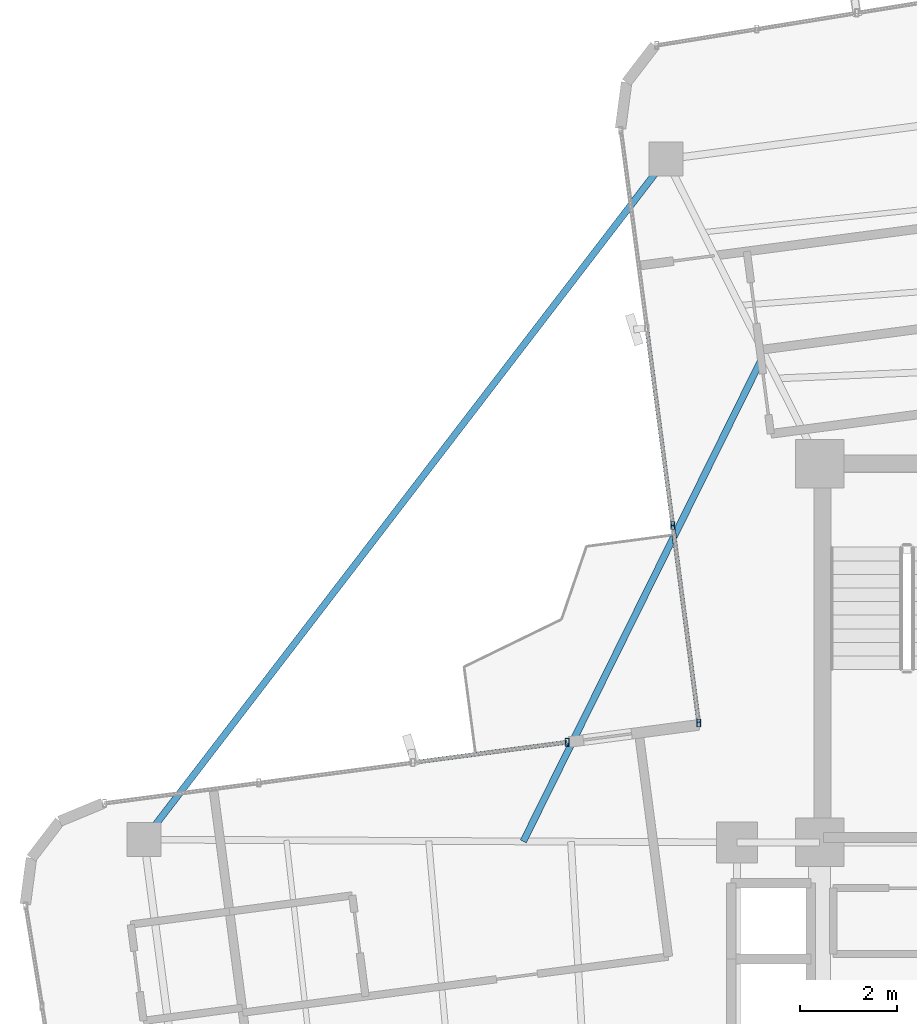
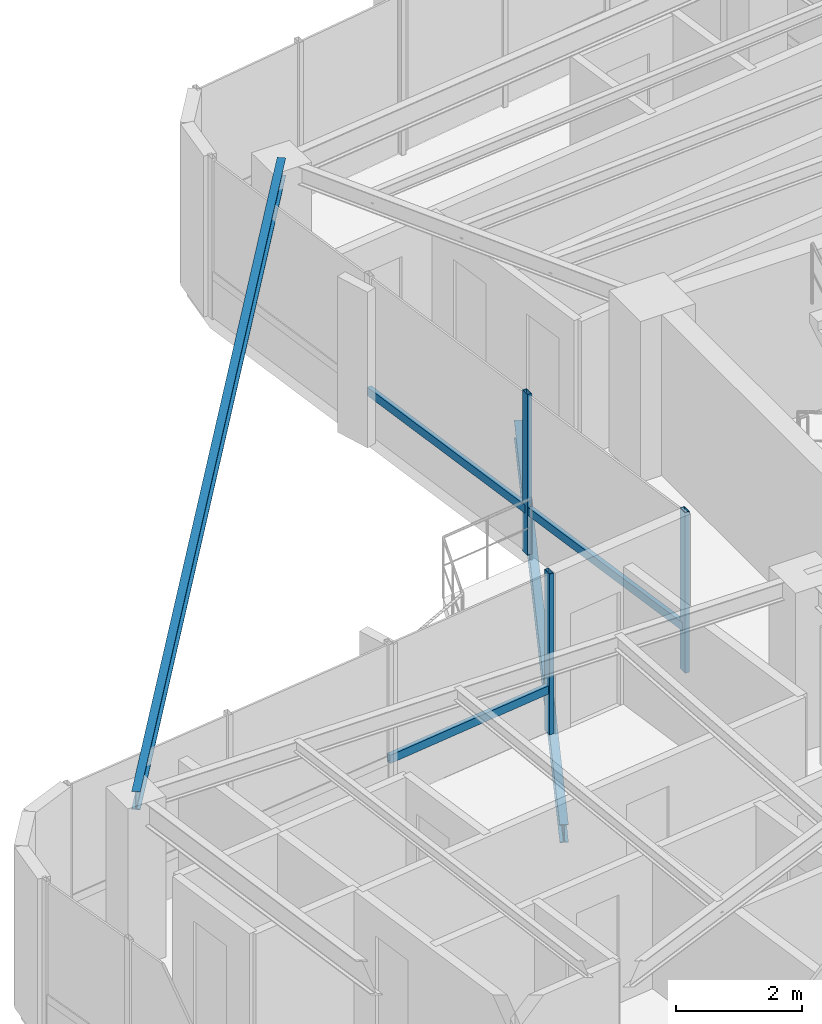
# One storey, part 9 of 22: 6 members, 2 beams, 2 elements without a shape of their own.
"""IFC4 building model written with IfcOpenShell, lengths in metres."""

from ifc_helpers import new_model, si_unit, direction, frame, origin, origin_2d, place, context, subcontext, project, spatial, hollow_rectangle, i_section, extrude, source, transform, mapped, material, material_profile, profile_set, type_object, element, aggregate, save


model = new_model("IFC4")

# Units and contexts
model_context = context("Model", 3, precision=1e-05, world=origin(), true_north=direction((0.0, 1.0)))
body_context = subcontext(model_context, "Body", "Model", "MODEL_VIEW")
ifc_project = project(units=[si_unit("LENGTHUNIT", "METRE"), si_unit("AREAUNIT", "SQUARE_METRE"), si_unit("VOLUMEUNIT", "CUBIC_METRE"), si_unit("PLANEANGLEUNIT", "RADIAN"), si_unit("MASSUNIT", "GRAM", prefix="KILO")], contexts=[model_context])

# Site, building, storey
site_placement = place(None, origin())
site = spatial("IfcSite", under=ifc_project, at=site_placement, CompositionType="ELEMENT")
building_placement = place(site_placement, origin())
building = spatial("IfcBuilding", under=site, at=building_placement, Name="Sahyath Konkavel Grand Hotel", CompositionType="ELEMENT")
storey_placement = place(building_placement, frame((0.0, 0.0, 257.89990234375)))
storey = spatial("IfcBuildingStorey", under=building, at=storey_placement, Name="L72", CompositionType="ELEMENT", Elevation=257.89990234375)

# Beam
ifc_material_1 = material(Name="Steel E350", Category="steel")
ifc_material_profile_1 = material_profile(ifc_material_1, i_section(OverallWidth=0.139892578125, OverallDepth=0.35009765625, WebThickness=0.008056640625, FlangeThickness=0.01416015625, FilletRadius=0.013916015625, at=origin_2d()), Name="ISMB 350")
ifc_profile_set_1 = profile_set([ifc_material_profile_1], Name="Steel E350")
beam_type_1 = type_object("IfcBeamType", Name="BM-ISMB350", PredefinedType="BEAM", material=ifc_profile_set_1)
shared_shape_1 = source(origin(), body_context, "Body", "SweptSolid", [
    extrude(i_section(OverallWidth=0.139892578125, OverallDepth=0.35009765625, WebThickness=0.008056640625, FlangeThickness=0.01416015625, FilletRadius=0.013916015625, at=origin_2d()), origin(), (0.0, 0.0, 1.0), 17.663330078125),
])
beam_1_placement = place(storey_placement, frame((-6.959716796875, 16.472412109375, 2.93505859375), z_axis=(-0.608754453805, -0.793358692504, 0.0), x_axis=(0.793358692504, -0.608754453805, 0.0)))
element("IfcBeam", 1, at=beam_1_placement, inside=storey, type_object=beam_type_1, Name="L72 Re-Entrant Tie Beam NW", PredefinedType="BEAM", context=body_context, shape_type="MappedRepresentation", body=[
    mapped(shared_shape_1, transform((0.0, 0.0, 0.0), scale=1.0)),
])

# Curtain wall, members
ifc_material_2 = material(Name="Anodised Bronze Aluminium & Low-E Glazing", Category="aluminium")
curtain_wall_type = type_object("IfcCurtainWallType", Name="CW-ZONE4", PredefinedType="NOTDEFINED", material=ifc_material_2)
curtain_wall_1_placement = place(storey_placement, origin())
curtain_wall_1 = element("IfcCurtainWall", 2, at=curtain_wall_1_placement, inside=storey, type_object=curtain_wall_type, Name="L72 Unitised Curtain Wall F15", PredefinedType="NOTDEFINED")
ifc_material_3 = material(Name="Anodised Bronze Aluminium", Category="aluminium")
ifc_material_profile_2 = material_profile(ifc_material_3, hollow_rectangle(XDim=0.080078125, YDim=0.159912109375, WallThickness=0.006103515625, at=origin_2d()), Name="RHS 160x80x6")
ifc_profile_set_2 = profile_set([ifc_material_profile_2], Name="Anodised Bronze Aluminium")
member_type_1 = type_object("IfcMemberType", Name="CW-MUL-160", PredefinedType="MULLION", material=ifc_profile_set_2)
shared_shape_2 = source(origin(), body_context, "Body", "SweptSolid", [
    extrude(hollow_rectangle(XDim=0.080078125, YDim=0.159912109375, WallThickness=0.006103515625, at=origin_2d()), origin(), (0.0, 0.0, 1.0), 3.110107421875),
])
member_1_placement = place(storey_placement, frame((-6.82373046875, 8.928955078125, 0.0), z_axis=(0.0, 0.0, 1.0), x_axis=(1.0, 0.0, 0.0)))
member_1 = element("IfcMember", 3, at=member_1_placement, type_object=member_type_1, Name="L72 Curtain Wall Mullion F15-2", PredefinedType="MULLION", context=body_context, shape_type="MappedRepresentation", body=[
    mapped(shared_shape_2, transform((0.0, 0.0, 0.0), scale=1.0)),
])
member_2_placement = place(storey_placement, frame((-6.2880859375, 4.86083984375, 0.0), z_axis=(0.0, 0.0, 1.0), x_axis=(1.0, 0.0, 0.0)))
member_2 = element("IfcMember", 4, at=member_2_placement, type_object=member_type_1, Name="L72 Curtain Wall Mullion F15-3", PredefinedType="MULLION", context=body_context, shape_type="MappedRepresentation", body=[
    mapped(shared_shape_2, transform((0.0, 0.0, 0.0), scale=1.0)),
])

curtain_wall_2_placement = place(storey_placement, origin())
curtain_wall_2 = element("IfcCurtainWall", 5, at=curtain_wall_2_placement, inside=storey, type_object=curtain_wall_type, Name="L72 Unitised Curtain Wall F16", PredefinedType="NOTDEFINED")
member_3_placement = place(storey_placement, frame((-8.99951171875, 4.46337890625, 0.0), z_axis=(0.0, 0.0, 1.0), x_axis=(1.0, 0.0, 0.0)))
member_3 = element("IfcMember", 6, at=member_3_placement, type_object=member_type_1, Name="L72 Curtain Wall Mullion F16-0", PredefinedType="MULLION", context=body_context, shape_type="MappedRepresentation", body=[
    mapped(shared_shape_2, transform((0.0, 0.0, 0.0), scale=1.0)),
])
ifc_material_profile_3 = material_profile(ifc_material_3, hollow_rectangle(XDim=0.080078125, YDim=0.159912109375, WallThickness=0.006103515625, at=origin_2d()), Name="RHS 160x80x6")
ifc_profile_set_3 = profile_set([ifc_material_profile_3], Name="Anodised Bronze Aluminium")
member_type_2 = type_object("IfcMemberType", Name="CW-TRN-160", PredefinedType="USERDEFINED", material=ifc_profile_set_3)
shared_shape_3 = source(origin(), body_context, "Body", "SweptSolid", [
    extrude(hollow_rectangle(XDim=0.080078125, YDim=0.159912109375, WallThickness=0.006103515625, at=origin_2d()), origin(), (0.0, 0.0, 1.0), 3.203369140625),
])
member_4_placement = place(storey_placement, frame((-8.99951171875, 4.46337890625, 0.85009765625), z_axis=(-0.991451441867, -0.130476198668, 0.0), x_axis=(0.130476198668, -0.991451441867, 0.0)))
member_4 = element("IfcMember", 7, at=member_4_placement, type_object=member_type_2, Name="L72 Curtain Wall Transom F16-0-spandrel", ObjectType="TRANSOM", PredefinedType="USERDEFINED", context=body_context, shape_type="MappedRepresentation", body=[
    mapped(shared_shape_3, transform((0.0, 0.0, 0.0), scale=1.0)),
])
aggregate(curtain_wall_2, [member_3, member_4])

# Member
shared_shape_4 = source(origin(), body_context, "Body", "SweptSolid", [
    extrude(hollow_rectangle(XDim=0.080078125, YDim=0.159912109375, WallThickness=0.006103515625, at=origin_2d()), origin(), (0.0, 0.0, 1.0), 4.103271484375),
])
member_5_placement = place(storey_placement, frame((-6.82373046875, 8.928955078125, 0.85009765625), z_axis=(0.130542242661, -0.991442748161, 0.0), x_axis=(0.991442748161, 0.130542242661, 0.0)))
member_5 = element("IfcMember", 8, at=member_5_placement, type_object=member_type_2, Name="L72 Curtain Wall Transom F15-2-spandrel", ObjectType="TRANSOM", PredefinedType="USERDEFINED", context=body_context, shape_type="MappedRepresentation", body=[
    mapped(shared_shape_4, transform((0.0, 0.0, 0.0), scale=1.0)),
])

shared_shape_5 = source(origin(), body_context, "Body", "SweptSolid", [
    extrude(hollow_rectangle(XDim=0.080078125, YDim=0.159912109375, WallThickness=0.006103515625, at=origin_2d()), origin(), (0.0, 0.0, 1.0), 4.103515625),
])
member_6_placement = place(storey_placement, frame((-7.359619140625, 12.997314453125, 0.85009765625), z_axis=(0.130593024052, -0.991436060505, 0.0), x_axis=(0.991436060505, 0.130593024052, 0.0)))
member_6 = element("IfcMember", 9, at=member_6_placement, type_object=member_type_2, Name="L72 Curtain Wall Transom F15-1-spandrel", ObjectType="TRANSOM", PredefinedType="USERDEFINED", context=body_context, shape_type="MappedRepresentation", body=[
    mapped(shared_shape_5, transform((0.0, 0.0, 0.0), scale=1.0)),
])

aggregate(curtain_wall_1, [member_1, member_2, member_6, member_5])

# Beam
ifc_material_profile_4 = material_profile(ifc_material_1, i_section(OverallWidth=0.139892578125, OverallDepth=0.35009765625, WebThickness=0.008056640625, FlangeThickness=0.01416015625, FilletRadius=0.013916015625, at=origin_2d()), Name="ISMB 350")
ifc_profile_set_4 = profile_set([ifc_material_profile_4], Name="Steel E350")
beam_type_2 = type_object("IfcBeamType", Name="BM-BALC-CANT", PredefinedType="BEAM", material=ifc_profile_set_4)
shared_shape_6 = source(origin(), body_context, "Body", "SweptSolid", [
    extrude(i_section(OverallWidth=0.139892578125, OverallDepth=0.35009765625, WebThickness=0.008056640625, FlangeThickness=0.01416015625, FilletRadius=0.013916015625, at=origin_2d()), origin(), (0.0, 0.0, 1.0), 11.19970703125),
])
beam_2_placement = place(storey_placement, frame((-4.939453125, 12.462646484375, -0.414794921875), z_axis=(-0.443040790725, -0.896501454407, 0.0), x_axis=(0.896501454407, -0.443040790725, 0.0)))
element("IfcBeam", 10, at=beam_2_placement, inside=storey, type_object=beam_type_2, Name="L72 Balcony Cantilever Support Beam NW", PredefinedType="BEAM", context=body_context, shape_type="MappedRepresentation", body=[
    mapped(shared_shape_6, transform((0.0, 0.0, 0.0), scale=1.0)),
])

save(model, "model.ifc")
